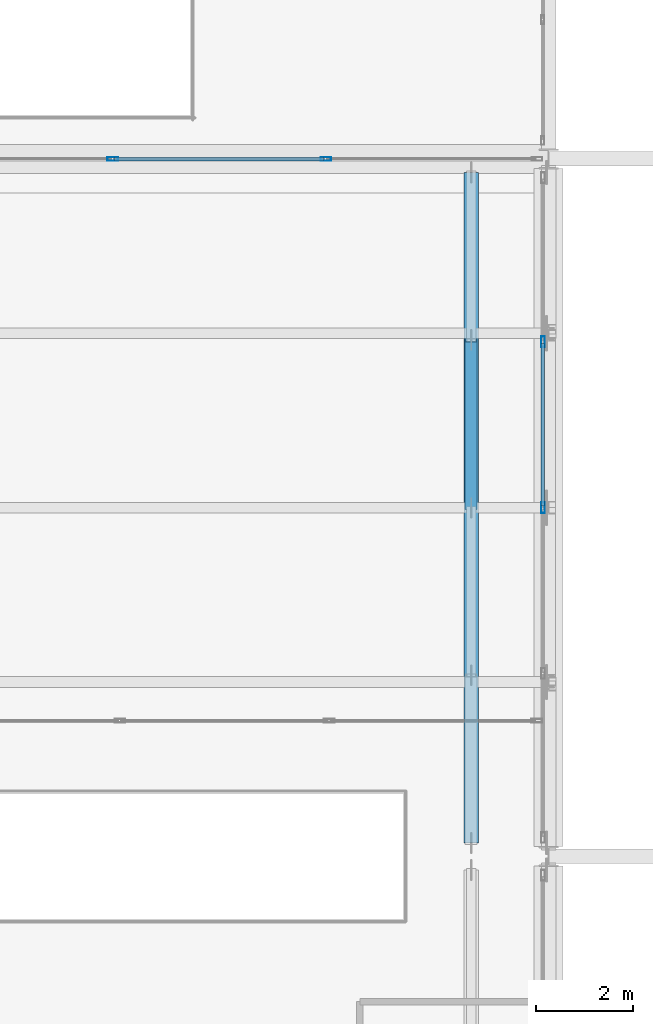
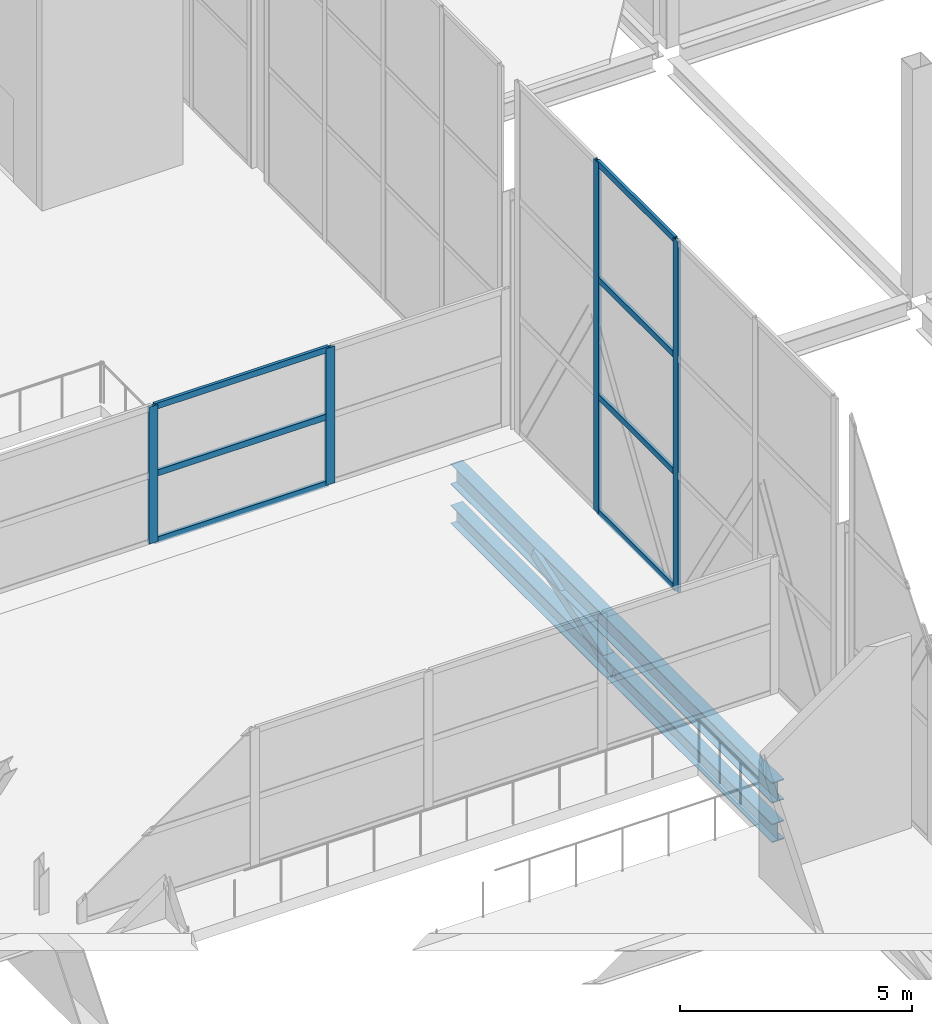
# One storey, part 109 of 191: 12 members, 2 beams, 2 elements without a shape of their own.
"""IFC4 building model written with IfcOpenShell, lengths in metres."""

from ifc_helpers import new_model, si_unit, direction, frame, origin, origin_2d, place, context, subcontext, project, spatial, hollow_rectangle, i_section, extrude, material, layer, layer_set, material_profile, profile_set, type_object, element, aggregate, save


model = new_model("IFC4")

# Units and contexts
model_context = context("Model", 3, precision=1e-05, world=origin(), true_north=direction((0.0, 1.0)))
body_context = subcontext(model_context, "Body", "Model", "MODEL_VIEW")
ifc_project = project(units=[si_unit("LENGTHUNIT", "METRE"), si_unit("AREAUNIT", "SQUARE_METRE"), si_unit("VOLUMEUNIT", "CUBIC_METRE"), si_unit("PLANEANGLEUNIT", "RADIAN"), si_unit("MASSUNIT", "GRAM", prefix="KILO")], contexts=[model_context])

# Site, building, storey
site_placement = place(None, origin())
site = spatial("IfcSite", under=ifc_project, at=site_placement, CompositionType="ELEMENT")
building_placement = place(site_placement, origin())
building = spatial("IfcBuilding", under=site, at=building_placement, Name="Tamarisk Ironworks Central Station", CompositionType="ELEMENT")
storey_placement = place(building_placement, frame((0.0, 0.0, 6.60009765625)))
storey = spatial("IfcBuildingStorey", under=building, at=storey_placement, Name="L01", CompositionType="ELEMENT", Elevation=6.60009765625)

# Beams
ifc_material_1 = material(Name="Structural steel S355J2", Category="steel")
ifc_material_profile_1 = material_profile(ifc_material_1, i_section(OverallWidth=0.300048828125, OverallDepth=0.5400390625, WebThickness=0.012451171875, FlangeThickness=0.02392578125, at=origin_2d()), Name="HEA 550")
ifc_profile_set_1 = profile_set([ifc_material_profile_1], Name="Structural steel S355J2")
beam_type_1 = type_object("IfcBeamType", Name="BM-G04", PredefinedType="BEAM", material=ifc_profile_set_1)
beam_1_placement = place(storey_placement, frame((106.39990234375, 65.080078125, -0.580078125), z_axis=(0.0, 1.0, 0.0), x_axis=(-1.0, 0.0, 0.0)))
element("IfcBeam", 1, at=beam_1_placement, inside=storey, type_object=beam_type_1, Name="Bridge deck transfer stiffening chord 204", PredefinedType="BEAM", context=body_context, shape_type="SweptSolid", body=[
    extrude(i_section(OverallWidth=0.300048828125, OverallDepth=0.5400390625, WebThickness=0.012451171875, FlangeThickness=0.02392578125, at=origin_2d()), origin(), (0.0, 0.0, 1.0), 13.83984375),
])
ifc_material_profile_2 = material_profile(ifc_material_1, i_section(OverallWidth=0.300048828125, OverallDepth=0.489990234375, WebThickness=0.011962890625, FlangeThickness=0.02294921875, at=origin_2d()), Name="HEA 500")
ifc_profile_set_2 = profile_set([ifc_material_profile_2], Name="Structural steel S355J2")
beam_type_2 = type_object("IfcBeamType", Name="BM-G05", PredefinedType="BEAM", material=ifc_profile_set_2)
beam_2_placement = place(storey_placement, frame((106.39990234375, 65.080078125, -1.64013671875), z_axis=(0.0, 1.0, 0.0), x_axis=(-1.0, 0.0, 0.0)))
element("IfcBeam", 2, at=beam_2_placement, inside=storey, type_object=beam_type_2, Name="Bridge deck transfer stiffening chord 203", PredefinedType="BEAM", context=body_context, shape_type="SweptSolid", body=[
    extrude(i_section(OverallWidth=0.300048828125, OverallDepth=0.489990234375, WebThickness=0.011962890625, FlangeThickness=0.02294921875, at=origin_2d()), origin(), (0.0, 0.0, 1.0), 13.83984375),
])

# Curtain wall, members
ifc_material_2 = material(Name="Anodized aluminium alloy 6063-T6", Category="aluminium")
ifc_layer_1 = layer(ifc_material_2, 0.179931640625)
ifc_layer_set_1 = layer_set([ifc_layer_1], Name="Anodized aluminium alloy 6063-T6")
curtain_wall_type_1 = type_object("IfcCurtainWallType", Name="CW-06", PredefinedType="USERDEFINED", material=ifc_layer_set_1)
curtain_wall_1_placement = place(storey_placement, origin())
curtain_wall_1 = element("IfcCurtainWall", 3, at=curtain_wall_1_placement, inside=storey, type_object=curtain_wall_type_1, Name="Concourse E track-overlook curtain wall 05", ObjectType="GLAZED CURTAIN WALL", PredefinedType="USERDEFINED")
ifc_material_profile_3 = material_profile(ifc_material_2, hollow_rectangle(XDim=0.074951171875, YDim=0.219970703125, WallThickness=0.00390625, at=origin_2d()), Name="ALUM 220x75")
ifc_profile_set_3 = profile_set([ifc_material_profile_3], Name="Anodized aluminium alloy 6063-T6")
member_type_1 = type_object("IfcMemberType", Name="CWM-01", PredefinedType="MULLION", material=ifc_profile_set_3)
member_1_placement = place(storey_placement, frame((107.8798828125, 72.0, 0.0), z_axis=(0.0, 0.0, 1.0), x_axis=(-1.0, 0.0, 0.0)))
member_1 = element("IfcMember", 4, at=member_1_placement, type_object=member_type_1, Name="CW06 mullion 3", PredefinedType="MULLION", context=body_context, shape_type="SweptSolid", body=[
    extrude(hollow_rectangle(XDim=0.074951171875, YDim=0.219970703125, WallThickness=0.00390625, at=origin_2d()), origin(), (0.0, 0.0, 1.0), 9.219970703125),
])
member_2_placement = place(storey_placement, frame((107.8798828125, 75.425048828125, 0.0), z_axis=(0.0, 0.0, 1.0), x_axis=(-1.0, 0.0, 0.0)))
member_2 = element("IfcMember", 5, at=member_2_placement, type_object=member_type_1, Name="CW06 mullion 4", PredefinedType="MULLION", context=body_context, shape_type="SweptSolid", body=[
    extrude(hollow_rectangle(XDim=0.074951171875, YDim=0.219970703125, WallThickness=0.00390625, at=origin_2d()), origin(), (0.0, 0.0, 1.0), 9.219970703125),
])

ifc_layer_2 = layer(ifc_material_2, 0.179931640625)
ifc_layer_set_2 = layer_set([ifc_layer_2], Name="Anodized aluminium alloy 6063-T6")
curtain_wall_type_2 = type_object("IfcCurtainWallType", Name="CW-24", PredefinedType="USERDEFINED", material=ifc_layer_set_2)
curtain_wall_2_placement = place(storey_placement, origin())
curtain_wall_2 = element("IfcCurtainWall", 6, at=curtain_wall_2_placement, inside=storey, type_object=curtain_wall_type_2, Name="North bridge east glazed acoustic screen", ObjectType="GLAZED CURTAIN WALL", PredefinedType="USERDEFINED")
member_3_placement = place(storey_placement, frame((99.0, 79.199951171875, 0.0), z_axis=(0.0, 0.0, 1.0), x_axis=(0.0, 1.0, 0.0)))
member_3 = element("IfcMember", 7, at=member_3_placement, type_object=member_type_1, Name="CW24 mullion 3", PredefinedType="MULLION", context=body_context, shape_type="SweptSolid", body=[
    extrude(hollow_rectangle(XDim=0.074951171875, YDim=0.219970703125, WallThickness=0.00390625, at=origin_2d()), origin(), (0.0, 0.0, 1.0), 3.599853515625),
])
member_4_placement = place(storey_placement, frame((103.3994140625, 79.199951171875, 0.0), z_axis=(0.0, 0.0, 1.0), x_axis=(0.0, 1.0, 0.0)))
member_4 = element("IfcMember", 8, at=member_4_placement, type_object=member_type_1, Name="CW24 mullion 4", PredefinedType="MULLION", context=body_context, shape_type="SweptSolid", body=[
    extrude(hollow_rectangle(XDim=0.074951171875, YDim=0.219970703125, WallThickness=0.00390625, at=origin_2d()), origin(), (0.0, 0.0, 1.0), 3.599853515625),
])

# Member
ifc_material_profile_4 = material_profile(ifc_material_2, hollow_rectangle(XDim=0.074951171875, YDim=0.159912109375, WallThickness=0.00390625, at=origin_2d()), Name="ALUM 160x75")
ifc_profile_set_4 = profile_set([ifc_material_profile_4], Name="Anodized aluminium alloy 6063-T6")
member_type_2 = type_object("IfcMemberType", Name="CWT-01", PredefinedType="USERDEFINED", material=ifc_profile_set_4)
member_5_placement = place(storey_placement, frame((107.8798828125, 72.033447265625, 0.037353515625), z_axis=(0.0, 1.0, 0.0), x_axis=(-1.0, 0.0, 0.0)))
member_5 = element("IfcMember", 9, at=member_5_placement, type_object=member_type_2, Name="CW06 transom 3.1", ObjectType="TRANSOM", PredefinedType="USERDEFINED", context=body_context, shape_type="SweptSolid", body=[
    extrude(hollow_rectangle(XDim=0.074951171875, YDim=0.159912109375, WallThickness=0.00390625, at=origin_2d()), origin(), (0.0, 0.0, 1.0), 3.358154296875),
])

member_6_placement = place(storey_placement, frame((107.8798828125, 72.033447265625, 3.0732421875), z_axis=(0.0, 1.0, 0.0), x_axis=(-1.0, 0.0, 0.0)))
member_6 = element("IfcMember", 10, at=member_6_placement, type_object=member_type_2, Name="CW06 transom 3.2", ObjectType="TRANSOM", PredefinedType="USERDEFINED", context=body_context, shape_type="SweptSolid", body=[
    extrude(hollow_rectangle(XDim=0.074951171875, YDim=0.159912109375, WallThickness=0.00390625, at=origin_2d()), origin(), (0.0, 0.0, 1.0), 3.358154296875),
])

member_7_placement = place(storey_placement, frame((107.8798828125, 72.033447265625, 6.146484375), z_axis=(0.0, 1.0, 0.0), x_axis=(-1.0, 0.0, 0.0)))
member_7 = element("IfcMember", 11, at=member_7_placement, type_object=member_type_2, Name="CW06 transom 3.3", ObjectType="TRANSOM", PredefinedType="USERDEFINED", context=body_context, shape_type="SweptSolid", body=[
    extrude(hollow_rectangle(XDim=0.074951171875, YDim=0.159912109375, WallThickness=0.00390625, at=origin_2d()), origin(), (0.0, 0.0, 1.0), 3.358154296875),
])

member_8_placement = place(storey_placement, frame((107.8798828125, 72.033447265625, 9.182373046875), z_axis=(0.0, 1.0, 0.0), x_axis=(-1.0, 0.0, 0.0)))
member_8 = element("IfcMember", 12, at=member_8_placement, type_object=member_type_2, Name="CW06 transom 3.4", ObjectType="TRANSOM", PredefinedType="USERDEFINED", context=body_context, shape_type="SweptSolid", body=[
    extrude(hollow_rectangle(XDim=0.074951171875, YDim=0.159912109375, WallThickness=0.00390625, at=origin_2d()), origin(), (0.0, 0.0, 1.0), 3.358154296875),
])

aggregate(curtain_wall_1, [member_1, member_2, member_5, member_6, member_7, member_8])

member_9_placement = place(storey_placement, frame((99.033447265625, 79.199951171875, 0.037353515625), z_axis=(1.0, 0.0, 0.0), x_axis=(0.0, 1.0, 0.0)))
member_9 = element("IfcMember", 13, at=member_9_placement, type_object=member_type_2, Name="CW24 transom 3.1", ObjectType="TRANSOM", PredefinedType="USERDEFINED", context=body_context, shape_type="SweptSolid", body=[
    extrude(hollow_rectangle(XDim=0.074951171875, YDim=0.159912109375, WallThickness=0.00390625, at=origin_2d()), origin(), (0.0, 0.0, 1.0), 4.33251953125),
])

member_10_placement = place(storey_placement, frame((99.033447265625, 79.199951171875, 1.7998046875), z_axis=(1.0, 0.0, 0.0), x_axis=(0.0, 1.0, 0.0)))
member_10 = element("IfcMember", 14, at=member_10_placement, type_object=member_type_2, Name="CW24 transom 3.2", ObjectType="TRANSOM", PredefinedType="USERDEFINED", context=body_context, shape_type="SweptSolid", body=[
    extrude(hollow_rectangle(XDim=0.074951171875, YDim=0.159912109375, WallThickness=0.00390625, at=origin_2d()), origin(), (0.0, 0.0, 1.0), 4.33251953125),
])

member_11_placement = place(storey_placement, frame((99.033447265625, 79.199951171875, 3.5625), z_axis=(1.0, 0.0, 0.0), x_axis=(0.0, 1.0, 0.0)))
member_11 = element("IfcMember", 15, at=member_11_placement, type_object=member_type_2, Name="CW24 transom 3.3", ObjectType="TRANSOM", PredefinedType="USERDEFINED", context=body_context, shape_type="SweptSolid", body=[
    extrude(hollow_rectangle(XDim=0.074951171875, YDim=0.159912109375, WallThickness=0.00390625, at=origin_2d()), origin(), (0.0, 0.0, 1.0), 4.33251953125),
])

aggregate(curtain_wall_2, [member_3, member_4, member_9, member_10, member_11])

ifc_material_3 = material(Name="Structural steel S355J2H", Category="steel")
ifc_material_profile_5 = material_profile(ifc_material_3, hollow_rectangle(XDim=0.25, YDim=0.25, WallThickness=0.012451171875, at=origin_2d()), Name="SHS 250x250x12.5")
ifc_profile_set_5 = profile_set([ifc_material_profile_5], Name="Structural steel S355J2H")
member_type_3 = type_object("IfcMemberType", Name="MB-BR01", PredefinedType="BRACE", material=ifc_profile_set_5)
member_12_placement = place(storey_placement, frame((106.39990234375, 72.0, -1.64013671875), z_axis=(0.0, 0.956131332595, 0.292938346467), x_axis=(-1.0, 0.0, 0.0)))
element("IfcMember", 16, at=member_12_placement, inside=storey, type_object=member_type_3, Name="Bridge deck stiffening web brace 207", PredefinedType="BRACE", context=body_context, shape_type="SweptSolid", body=[
    extrude(hollow_rectangle(XDim=0.25, YDim=0.25, WallThickness=0.012451171875, at=origin_2d()), origin(), (0.0, 0.0, 1.0), 3.61865234375),
])

save(model, "model.ifc")
